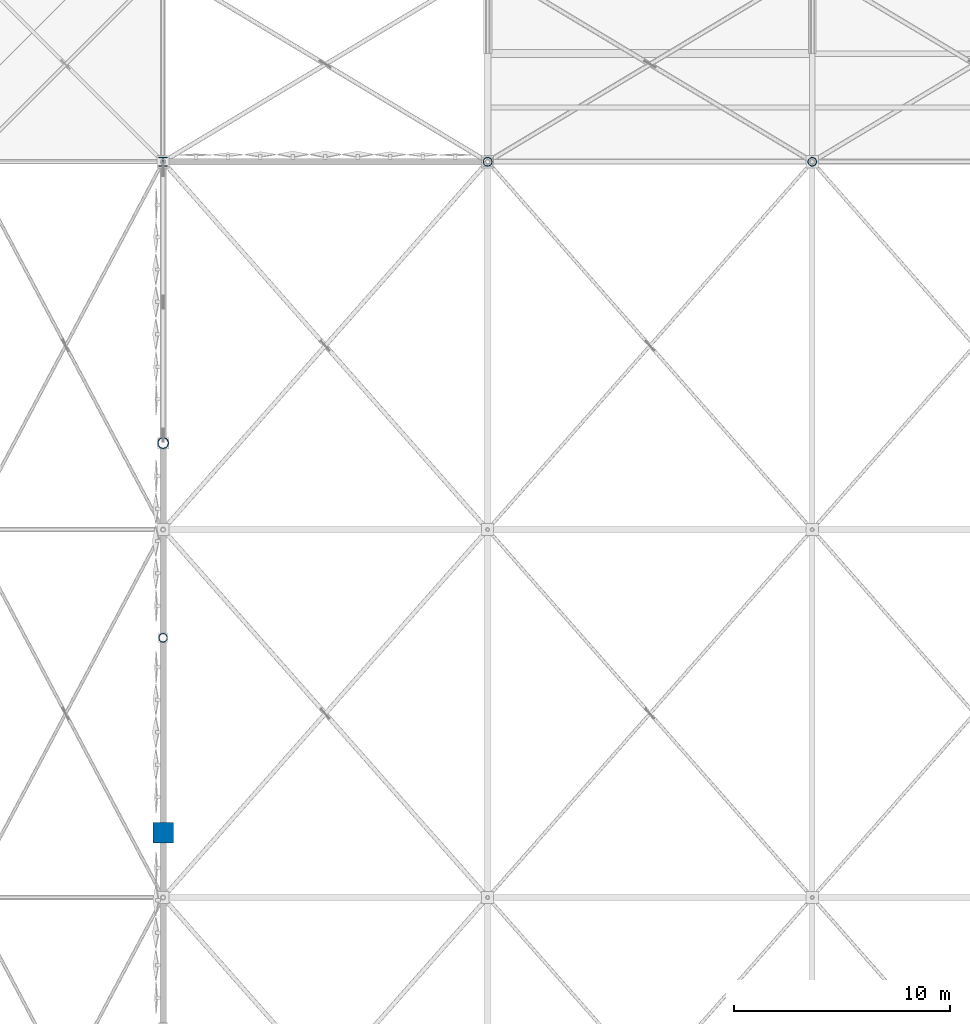
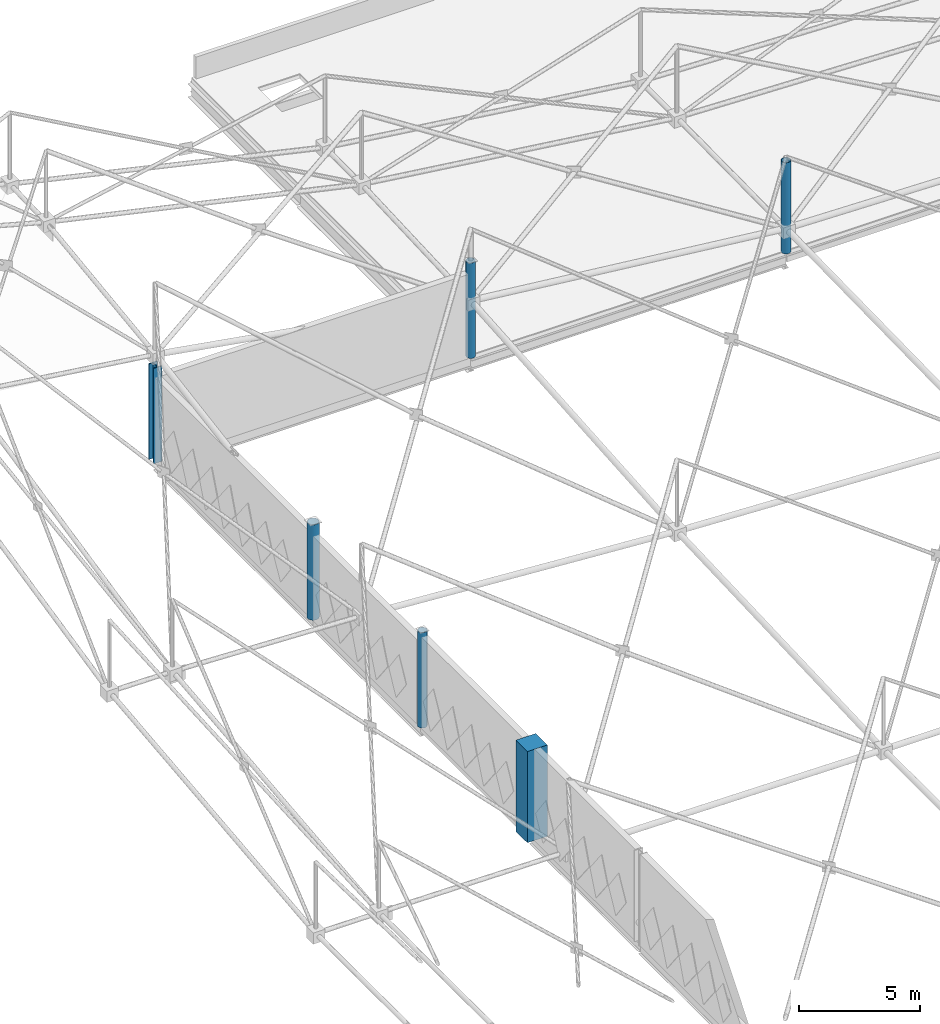
# One storey, part 5 of 224: 6 columns.
"""IFC4 building model written with IfcOpenShell, lengths in metres."""

import ifcopenshell
import ifcopenshell.guid

model = None  # the IFC model being written
_history = None  # IfcOwnerHistory: only IFC2X3 demands one
_inside = {}  # id of a spatial element -> (the spatial element, [elements in it])
_under = {}  # id of a project, library or spatial element -> (it, [spatial elements below it])
_declared = {}  # id of a project -> (the project, [libraries it declares])
_typed = {}  # id of a type object -> (the type object, [elements of that type])
_made_of = {}  # id of a material, layer set ... -> (it, [elements and type objects made of it])


def new_model(schema):
    """Start an empty IFC model of exactly this schema.

    Asked for "IFC4X3", IfcOpenShell would pick the latest addendum, in which some entities
    have other attributes; the version numbers below select the first issue.
    IFC2X3 requires an IfcOwnerHistory on every rooted entity: one is made here for all.
    """
    global model, _history
    if schema == "IFC4X3":
        model = ifcopenshell.file(schema_version=(4, 3, 0, 0))
    else:
        model = ifcopenshell.file(schema=schema)
    _inside.clear()
    _under.clear()
    _declared.clear()
    _typed.clear()
    _made_of.clear()
    _history = None
    if model.schema == "IFC2X3":
        org = make("IfcOrganization", Name="unknown")
        user = make(
            "IfcPersonAndOrganization",
            ThePerson=make("IfcPerson", FamilyName="unknown"),
            TheOrganization=org,
        )
        app = make(
            "IfcApplication",
            ApplicationDeveloper=org,
            Version="unknown",
            ApplicationFullName="unknown",
            ApplicationIdentifier="unknown",
        )
        _history = make(
            "IfcOwnerHistory",
            OwningUser=user,
            OwningApplication=app,
            ChangeAction="ADDED",
            CreationDate=0,
        )
    return model


def make(cls, **values):
    """One entity of the class cls with the attributes given. An attribute that is None is left unset."""
    return model.create_entity(
        cls, **{name: value for name, value in values.items() if value is not None}
    )


def rooted(cls, **values):
    """An entity with a GlobalId (a new one), such as an element, a storey or a relation."""
    return make(cls, GlobalId=ifcopenshell.guid.new(), OwnerHistory=_history, **values)


def si_unit(unit_type, name, prefix=None):
    """IfcSIUnit, for example si_unit("LENGTHUNIT", "METRE", prefix="MILLI")."""
    return make("IfcSIUnit", UnitType=unit_type, Prefix=prefix, Name=name)


def assignment(units):
    """IfcUnitAssignment: the units of a project."""
    return None if units is None else make("IfcUnitAssignment", Units=units)


def point(xyz):
    """IfcCartesianPoint."""
    return None if xyz is None else make("IfcCartesianPoint", Coordinates=xyz)


def direction(xyz):
    """IfcDirection."""
    return None if xyz is None else make("IfcDirection", DirectionRatios=xyz)


def frame(location, z_axis=None, x_axis=None):
    """IfcAxis2Placement3D, a coordinate frame: its origin and axes. An axis left out is left unset."""
    return make(
        "IfcAxis2Placement3D",
        Location=point(location),
        Axis=direction(z_axis),
        RefDirection=direction(x_axis),
    )


def frame_2d(location, x_axis=None):
    """IfcAxis2Placement2D, a coordinate frame in the plane: its origin and x axis."""
    return make(
        "IfcAxis2Placement2D", Location=point(location), RefDirection=direction(x_axis)
    )


def origin():
    """The frame at (0, 0, 0) with its axes left unset."""
    return frame((0.0, 0.0, 0.0))


def origin_2d():
    """The frame at (0, 0) in the plane with its x axis left unset."""
    return frame_2d((0.0, 0.0))


def place(relative_to, where):
    """IfcLocalPlacement: puts the frame where relative to a parent placement (None: the world)."""
    return make(
        "IfcLocalPlacement", PlacementRelTo=relative_to, RelativePlacement=where
    )


def context(
    kind, dimensions, precision=None, world=None, true_north=None, identifier=None
):
    """IfcGeometricRepresentationContext, for example the 3D "Model" context."""
    return make(
        "IfcGeometricRepresentationContext",
        ContextIdentifier=identifier,
        ContextType=kind,
        CoordinateSpaceDimension=dimensions,
        Precision=precision,
        WorldCoordinateSystem=world,
        TrueNorth=true_north,
    )


def subcontext(parent, identifier, kind, view, scale=None):
    """IfcGeometricRepresentationSubContext, for example "Body" below "Model"."""
    return make(
        "IfcGeometricRepresentationSubContext",
        ContextIdentifier=identifier,
        ContextType=kind,
        ParentContext=parent,
        TargetScale=scale,
        TargetView=view,
    )


def project(units=None, contexts=None):
    """IfcProject with its units and contexts."""
    return rooted(
        "IfcProject",
        Name="project",
        RepresentationContexts=contexts,
        UnitsInContext=assignment(units),
    )


def spatial(cls, under=None, at=None, **own):
    """A site, building, storey or space (cls), placed at a placement, below another one or the project."""
    s = rooted(cls, ObjectPlacement=at, **own)
    if under is not None:
        _under.setdefault(under.id(), (under, []))[1].append(s)
    return s


def profile(cls, at=None, kind="AREA", **sizes):
    """A parametric profile (cls). Its sizes go by their IFC names, for example OverallWidth=200.0."""
    return make(cls, ProfileType=kind, Position=at, **sizes)


def rectangle(**sizes):
    """IfcRectangleProfileDef."""
    return profile("IfcRectangleProfileDef", **sizes)


def hollow_circle(**sizes):
    """IfcCircleHollowProfileDef."""
    return profile("IfcCircleHollowProfileDef", **sizes)


def i_section(**sizes):
    """IfcIShapeProfileDef."""
    return profile("IfcIShapeProfileDef", **sizes)


def extrude(swept, where, along, depth):
    """IfcExtrudedAreaSolid: the profile swept, set in the frame where, extruded along a direction by depth."""
    return make(
        "IfcExtrudedAreaSolid",
        SweptArea=swept,
        Position=where,
        ExtrudedDirection=direction(along),
        Depth=depth,
    )


def shape(context_of_items, identifier, shape_type, items):
    """IfcShapeRepresentation: the items that make up one representation, for example the "Body"."""
    return make(
        "IfcShapeRepresentation",
        ContextOfItems=context_of_items,
        RepresentationIdentifier=identifier,
        RepresentationType=shape_type,
        Items=items,
    )


def material(Name=None, Category=None):
    """IfcMaterial."""
    return make("IfcMaterial", Name=Name, Category=Category)


def material_profile(
    of_material, cross_section, Name=None, Category=None, Priority=None
):
    """IfcMaterialProfile: a cross section and its material."""
    return make(
        "IfcMaterialProfile",
        Name=Name,
        Material=of_material,
        Profile=cross_section,
        Priority=Priority,
        Category=Category,
    )


def profile_set(profiles, Name=None, composite=None):
    """IfcMaterialProfileSet."""
    return make(
        "IfcMaterialProfileSet",
        Name=Name,
        MaterialProfiles=profiles,
        CompositeProfile=composite,
    )


def made_of(thing, what):
    """Note that an element or type object is made of a material, layer set ...; save() writes the relation."""
    if what is not None:
        _made_of.setdefault(what.id(), (what, []))[1].append(thing)
    return thing


def type_object(cls, material=None, **own):
    """A type object (cls), such as IfcWallType, which elements share."""
    return made_of(rooted(cls, **own), material)


def element(
    cls,
    number,
    at=None,
    inside=None,
    cuts=None,
    type_object=None,
    material=None,
    context=None,
    identifier="Body",
    shape_type=None,
    held_by="IfcProductDefinitionShape",
    body=None,
    shapes=None,
    **own,
):
    """One element of the class cls, such as IfcWall. Its Tag is "e" and its number.

    at: its placement. inside: the storey or other place that contains it. cuts: it is an
    opening in that element (IfcRelVoidsElement). A single representation is given by context,
    identifier, shape_type and body (its items); several are given by shapes. held_by: the class
    of the entity that holds the representations. save() writes the other relations.
    """
    e = rooted(cls, Tag="e%d" % number, ObjectPlacement=at, **own)
    if body is not None:
        shapes = [shape(context, identifier, shape_type, body)]
    if shapes is not None:
        e.Representation = make(held_by, Representations=shapes)
    if inside is not None:
        _inside.setdefault(inside.id(), (inside, []))[1].append(e)
    if cuts is not None:
        rooted(
            "IfcRelVoidsElement", RelatingBuildingElement=cuts, RelatedOpeningElement=e
        )
    if type_object is not None:
        _typed.setdefault(type_object.id(), (type_object, []))[1].append(e)
    return made_of(e, material)


def aggregate(whole, parts):
    """IfcRelAggregates: a whole, such as a stair, and the parts it consists of."""
    return rooted("IfcRelAggregates", RelatingObject=whole, RelatedObjects=parts)


def save(model, path):
    """Write the relations noted so far, then the file.

    IfcRelAggregates (storeys below a building ...), IfcRelContainedInSpatialStructure (elements
    in a storey), IfcRelDefinesByType, IfcRelAssociatesMaterial and IfcRelDeclares: one each for
    every whole, place, type object, material and project.
    """
    for whole, parts in _under.values():
        aggregate(whole, parts)
    for where, things in _inside.values():
        rooted(
            "IfcRelContainedInSpatialStructure",
            RelatedElements=things,
            RelatingStructure=where,
        )
    for kind, things in _typed.values():
        rooted("IfcRelDefinesByType", RelatedObjects=things, RelatingType=kind)
    for what, things in _made_of.values():
        rooted("IfcRelAssociatesMaterial", RelatedObjects=things, RelatingMaterial=what)
    for by, libraries in _declared.values():
        rooted("IfcRelDeclares", RelatingContext=by, RelatedDefinitions=libraries)
    model.write(path)


model = new_model("IFC4")

# Units and contexts
model_context = context("Model", 3, precision=1e-05, world=origin(), true_north=direction((0.0, 1.0)))
body_context = subcontext(model_context, "Body", "Model", "MODEL_VIEW")
ifc_project = project(units=[si_unit("LENGTHUNIT", "METRE"), si_unit("AREAUNIT", "SQUARE_METRE"), si_unit("VOLUMEUNIT", "CUBIC_METRE"), si_unit("PLANEANGLEUNIT", "RADIAN"), si_unit("MASSUNIT", "GRAM", prefix="KILO")], contexts=[model_context])

# Site, building, storey
site_placement = place(None, origin())
site = spatial("IfcSite", under=ifc_project, at=site_placement, CompositionType="ELEMENT")
building_placement = place(site_placement, origin())
building = spatial("IfcBuilding", under=site, at=building_placement, Name="Qamarlyn Nura Convention Centre", CompositionType="ELEMENT")
storey_placement = place(building_placement, frame((0.0, 0.0, 10.800048828125)))
storey = spatial("IfcBuildingStorey", under=building, at=storey_placement, Name="L02", CompositionType="ELEMENT", Elevation=10.800048828125)

# Columns
ifc_material_1 = material(Name="Pearl-white PVDF steel ASTM A500 Grade C", Category="steel")
ifc_material_profile_1 = material_profile(ifc_material_1, hollow_circle(Radius=0.25390625, WallThickness=0.02001953125, at=origin_2d()), Name="CHS508X20")
ifc_profile_set_1 = profile_set([ifc_material_profile_1], Name="Pearl-white PVDF steel ASTM A500 Grade C")
column_type_1 = type_object("IfcColumnType", Name="COL-HALL-1", PredefinedType="COLUMN", material=ifc_profile_set_1)
column_1_placement = place(storey_placement, frame((0.0, 90.0, 0.0), z_axis=(0.0, 0.0, 1.0), x_axis=(1.0, 0.0, 0.0)))
element("IfcColumn", 1, at=column_1_placement, inside=storey, type_object=column_type_1, Name="L02 column 1/L", PredefinedType="COLUMN", context=body_context, shape_type="SweptSolid", body=[
    extrude(hollow_circle(Radius=0.25390625, WallThickness=0.02001953125, at=origin_2d()), origin(), (0.0, 0.0, 1.0), 4.800048828125),
])
ifc_material_2 = material(Name="Concrete C50/60", Category="concrete")
ifc_material_profile_2 = material_profile(ifc_material_2, rectangle(XDim=0.949951171875, YDim=0.949951171875, at=origin_2d()), Name="RC 950x950")
ifc_profile_set_2 = profile_set([ifc_material_profile_2], Name="Concrete C50/60")
column_type_2 = type_object("IfcColumnType", Name="COL-HALL-2", PredefinedType="COLUMN", material=ifc_profile_set_2)
column_2_placement = place(storey_placement, frame((0.0, 72.0, 0.0), z_axis=(0.0, 0.0, 1.0), x_axis=(1.0, 0.0, 0.0)))
element("IfcColumn", 2, at=column_2_placement, inside=storey, type_object=column_type_2, Name="L02 column 1/J", PredefinedType="COLUMN", context=body_context, shape_type="SweptSolid", body=[
    extrude(rectangle(XDim=0.949951171875, YDim=0.949951171875, at=origin_2d()), origin(), (0.0, 0.0, 1.0), 4.58984375),
])
ifc_material_3 = material(Name="Steel ASTM A992", Category="steel")
ifc_material_profile_3 = material_profile(ifc_material_3, i_section(OverallWidth=0.408935546875, OverallDepth=0.425048828125, WebThickness=0.030517578125, FlangeThickness=0.049072265625, FilletRadius=0.02001953125, at=origin_2d()), Name="W360X421")
ifc_profile_set_3 = profile_set([ifc_material_profile_3], Name="Steel ASTM A992")
column_type_3 = type_object("IfcColumnType", Name="COL-MEGA-1", PredefinedType="COLUMN", material=ifc_profile_set_3)
column_3_placement = place(storey_placement, frame((0.0, 103.0, 0.0), z_axis=(0.0, 0.0, 1.0), x_axis=(1.0, 0.0, 0.0)))
element("IfcColumn", 3, at=column_3_placement, inside=storey, type_object=column_type_3, Name="L02 column 1/M", PredefinedType="COLUMN", context=body_context, shape_type="SweptSolid", body=[
    extrude(i_section(OverallWidth=0.408935546875, OverallDepth=0.425048828125, WebThickness=0.030517578125, FlangeThickness=0.049072265625, FilletRadius=0.02001953125, at=origin_2d()), origin(), (0.0, 0.0, 1.0), 4.800048828125),
])
ifc_material_profile_4 = material_profile(ifc_material_1, hollow_circle(Radius=0.203125, WallThickness=0.01611328125, at=origin_2d()), Name="CHS406.4X16")
ifc_profile_set_4 = profile_set([ifc_material_profile_4], Name="Pearl-white PVDF steel ASTM A500 Grade C")
column_type_4 = type_object("IfcColumnType", Name="COL-TUBE-1", PredefinedType="COLUMN", material=ifc_profile_set_4)
for number, where, z_axis, x_axis, name in (
    (4, (0.0, 81.0, 0.0), (0.0, 0.0, 1.0), (1.0, 0.0, 0.0), "L02 column 1/K"),
    (5, (15.0, 103.0, 0.0), (0.0, 0.0, 1.0), (1.0, 0.0, 0.0), "L02 column 2/M"),
):
    element("IfcColumn", number, at=place(storey_placement, frame(where, z_axis=z_axis, x_axis=x_axis)), inside=storey, type_object=column_type_4, Name=name, PredefinedType="COLUMN", context=body_context, shape_type="SweptSolid", body=[
        extrude(hollow_circle(Radius=0.203125, WallThickness=0.01611328125, at=origin_2d()), origin(), (0.0, 0.0, 1.0), 4.800048828125),
    ])
column_4_placement = place(storey_placement, frame((30.0, 103.0, 0.0), z_axis=(0.0, 0.0, 1.0), x_axis=(1.0, 0.0, 0.0)))
element("IfcColumn", 6, at=column_4_placement, inside=storey, type_object=column_type_4, Name="L02 column 3/M", PredefinedType="COLUMN", context=body_context, shape_type="SweptSolid", body=[
    extrude(hollow_circle(Radius=0.203125, WallThickness=0.01611328125, at=origin_2d()), origin(), (0.0, 0.0, 1.0), 4.58984375),
])

save(model, "model.ifc")
